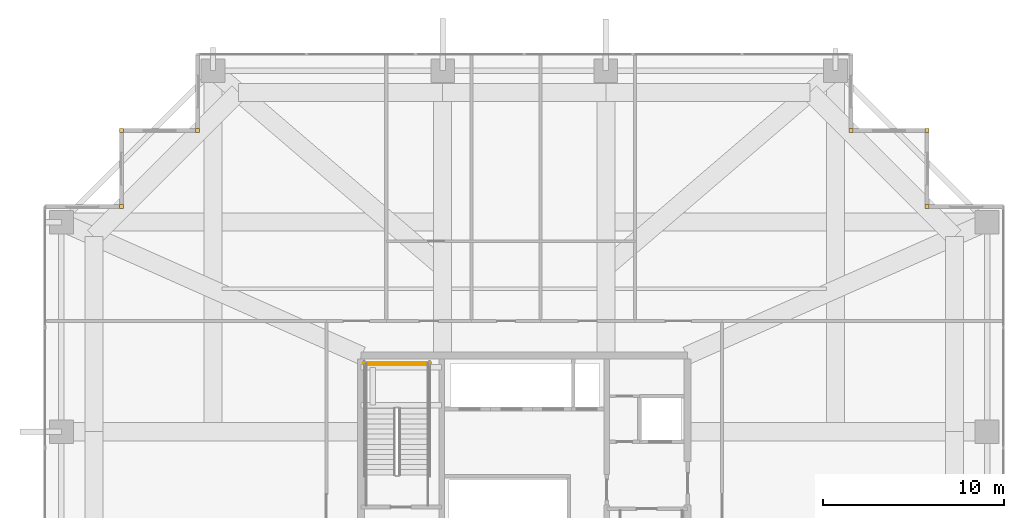
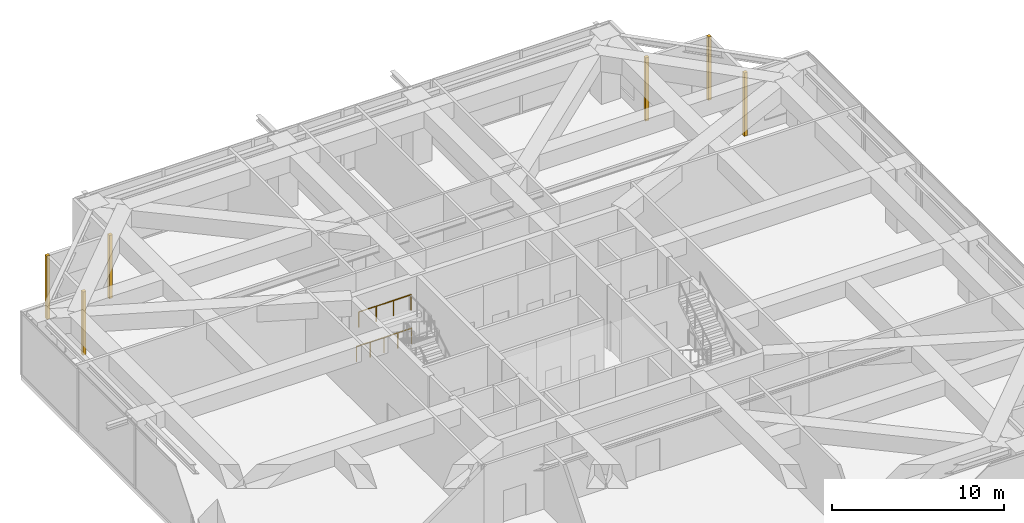
# One storey, part 35 of 35: 6 coverings, 2 railings.
"""IFC4 building model written with IfcOpenShell, lengths in metres."""

from ifc_helpers import new_model, si_unit, direction, frame, origin, origin_2d, place, context, subcontext, project, spatial, rectangle, circle, extrude, source, transform, mapped, material, layer, layer_set, type_object, element, save


model = new_model("IFC4")

# Units and contexts
model_context = context("Model", 3, precision=1e-05, world=origin(), true_north=direction((0.0, 1.0)))
body_context = subcontext(model_context, "Body", "Model", "MODEL_VIEW")
ifc_project = project(units=[si_unit("LENGTHUNIT", "METRE"), si_unit("AREAUNIT", "SQUARE_METRE"), si_unit("VOLUMEUNIT", "CUBIC_METRE"), si_unit("PLANEANGLEUNIT", "RADIAN"), si_unit("MASSUNIT", "GRAM", prefix="KILO")], contexts=[model_context])

# Site, building, storey
site_placement = place(None, origin())
site = spatial("IfcSite", under=ifc_project, at=site_placement, CompositionType="ELEMENT")
building_placement = place(site_placement, origin())
building = spatial("IfcBuilding", under=site, at=building_placement, Name="Serunith Strait Residences", CompositionType="ELEMENT")
storey_placement = place(building_placement, frame((0.0, 0.0, 115.199951171875)))
storey = spatial("IfcBuildingStorey", under=building, at=storey_placement, Name="L28", CompositionType="ELEMENT", Elevation=115.199951171875)

# Railings
ifc_material_1 = material(Name="Brushed stainless steel 316L", Category="steel")
railing_type = type_object("IfcRailingType", Name="RLG-STAIR-GUARD", PredefinedType="BALUSTRADE", material=ifc_material_1)
railing_1_placement = place(storey_placement, frame((27.14990234375, 33.10009765625, 2.47509765625)))
element("IfcRailing", 1, at=railing_1_placement, inside=storey, type_object=railing_type, Name="L28 ST-1 stair guard 5", PredefinedType="BALUSTRADE", context=body_context, shape_type="SweptSolid", body=[
    extrude(circle(Radius=0.02392578125, at=origin_2d()), frame((-0.001953125, 0.0, 1.076171875), z_axis=(-1.0, 0.0, 0.0), x_axis=(0.0, -1.0, 0.0)), (0.0, 0.0, 1.0), 3.49609375),
    extrude(circle(Radius=0.02099609375, at=origin_2d()), origin(), (0.0, 0.0, 1.0), 1.050048828125),
    extrude(circle(Radius=0.02099609375, at=origin_2d()), frame((-1.166748046875, 0.0, 0.0)), (0.0, 0.0, 1.0), 1.050048828125),
    extrude(circle(Radius=0.02099609375, at=origin_2d()), frame((-2.333251953125, 0.0, 0.0)), (0.0, 0.0, 1.0), 1.050048828125),
    extrude(circle(Radius=0.02099609375, at=origin_2d()), frame((-3.5, 0.0, 0.0)), (0.0, 0.0, 1.0), 1.050048828125),
])
railing_2_placement = place(storey_placement, frame((27.25, 33.199951171875, 0.0)))
element("IfcRailing", 2, at=railing_2_placement, inside=storey, type_object=railing_type, Name="L28 ST-1 stair guard 12", PredefinedType="BALUSTRADE", context=body_context, shape_type="SweptSolid", body=[
    extrude(circle(Radius=0.02392578125, at=origin_2d()), frame((-0.001953125, 0.0, 1.076171875), z_axis=(-1.0, 0.0, 0.0), x_axis=(0.0, -1.0, 0.0)), (0.0, 0.0, 1.0), 3.696044921875),
    extrude(circle(Radius=0.02099609375, at=origin_2d()), origin(), (0.0, 0.0, 1.0), 1.050048828125),
    extrude(circle(Radius=0.02099609375, at=origin_2d()), frame((-0.925048828125, 0.0, 0.0)), (0.0, 0.0, 1.0), 1.050048828125),
    extrude(circle(Radius=0.02099609375, at=origin_2d()), frame((-1.85009765625, 0.0, 0.0)), (0.0, 0.0, 1.0), 1.050048828125),
    extrude(circle(Radius=0.02099609375, at=origin_2d()), frame((-2.77490234375, 0.0, 0.0)), (0.0, 0.0, 1.0), 1.050048828125),
    extrude(circle(Radius=0.02099609375, at=origin_2d()), frame((-3.699951171875, 0.0, 0.0)), (0.0, 0.0, 1.0), 1.050048828125),
])

# Coverings
ifc_material_2 = material(Name="Pale-Champagne Anodised Aluminium", Category="aluminium")
ifc_layer = layer(ifc_material_2, 0.219970703125, Name="Pale-Champagne Anodised Aluminium")
ifc_layer_set = layer_set([ifc_layer], Name="Pale-Champagne Anodised Aluminium")
covering_type = type_object("IfcCoveringType", Name="COV-CORN-TRIM", PredefinedType="CLADDING", material=ifc_layer_set)
shared_shape = source(origin(), body_context, "Body", "SweptSolid", [
    extrude(rectangle(XDim=0.221923828125, YDim=0.221923828125, at=origin_2d()), origin(), (0.0, 0.0, 1.0), 4.4951171875),
])
for number, where, z_axis, x_axis, name in (
    (3, (54.60009765625, 41.800048828125, 0.0), (0.0, 0.0, 1.0), (1.0, 0.0, 0.0), "L28 Girih Serrated Corner Trim Post 07"),
    (4, (54.60009765625, 46.0, 0.0), (0.0, 0.0, 1.0), (1.0, 0.0, 0.0), "L28 Girih Serrated Corner Trim Post 08"),
    (5, (50.39990234375, 46.0, 0.0), (0.0, 0.0, 1.0), (1.0, 0.0, 0.0), "L28 Girih Serrated Corner Trim Post 09"),
    (6, (14.39990234375, 46.0, 0.0), (0.0, 0.0, 1.0), (1.0, 0.0, 0.0), "L28 Girih Serrated Corner Trim Post 12"),
    (7, (10.199951171875, 46.0, 0.0), (0.0, 0.0, 1.0), (1.0, 0.0, 0.0), "L28 Girih Serrated Corner Trim Post 13"),
    (8, (10.199951171875, 41.800048828125, 0.0), (0.0, 0.0, 1.0), (1.0, 0.0, 0.0), "L28 Girih Serrated Corner Trim Post 14"),
):
    element("IfcCovering", number, at=place(storey_placement, frame(where, z_axis=z_axis, x_axis=x_axis)), inside=storey, type_object=covering_type, Name=name, PredefinedType="CLADDING", context=body_context, shape_type="MappedRepresentation", body=[
        mapped(shared_shape, transform((0.0, 0.0, 0.0), scale=1.0)),
    ])

save(model, "model.ifc")
